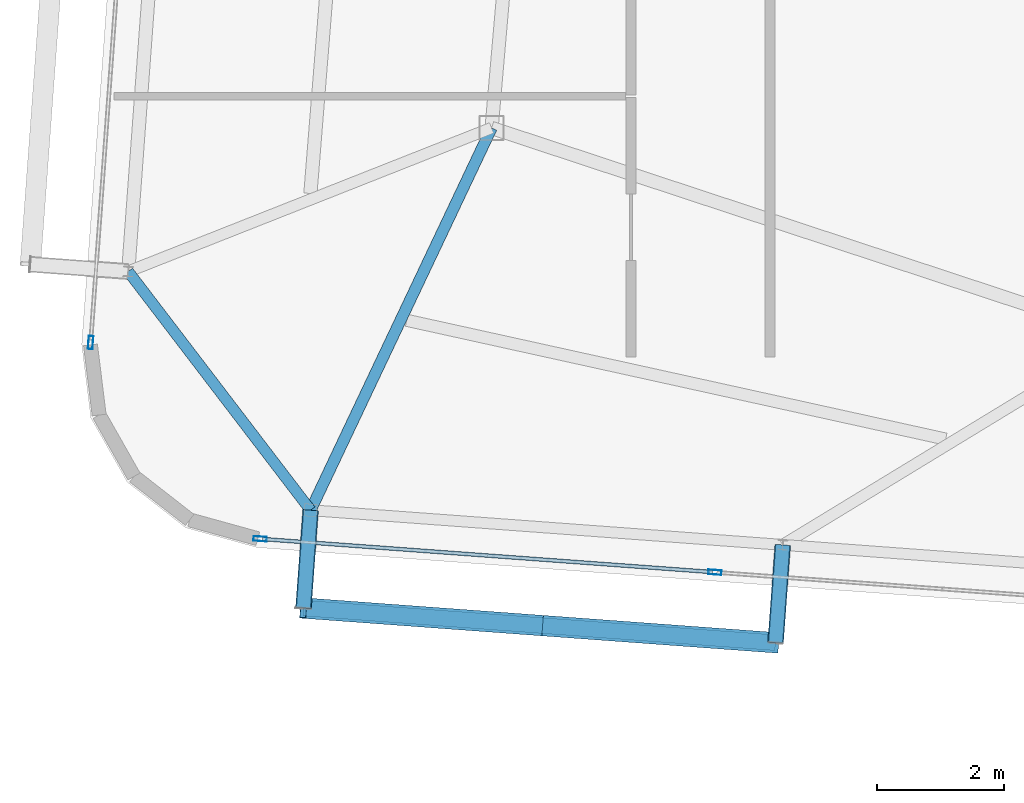
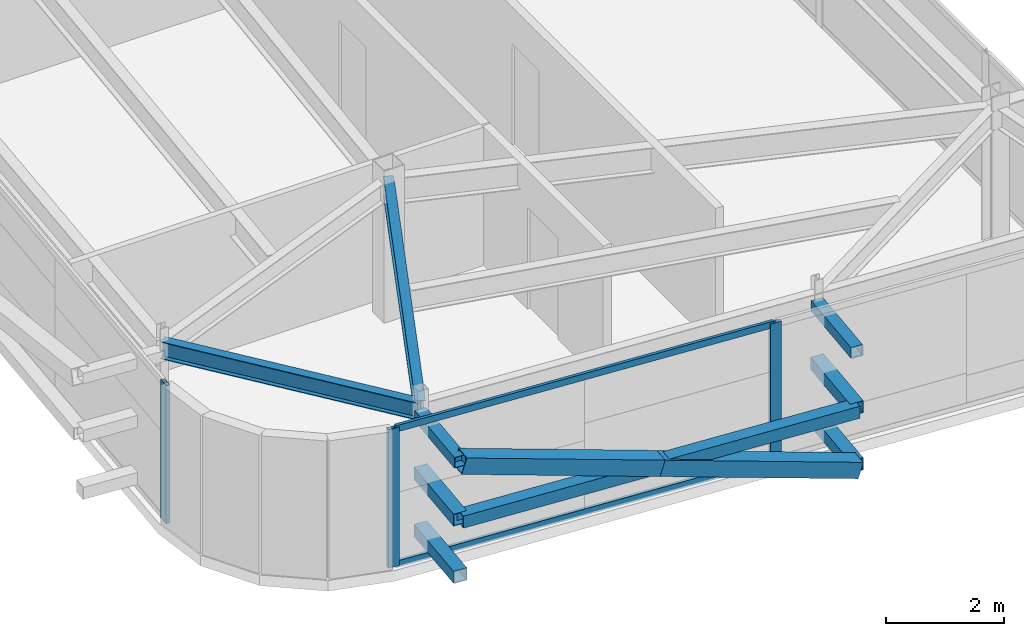
# One storey, part 9 of 40: 14 members, 2 beams, 2 elements without a shape of their own.
"""IFC4 building model written with IfcOpenShell, lengths in metres."""

from ifc_helpers import new_model, si_unit, direction, frame, origin, origin_2d, place, context, subcontext, project, spatial, hollow_rectangle, i_section, extrude, source, transform, mapped, material, layer, layer_set, material_profile, profile_set, type_object, element, aggregate, save


model = new_model("IFC4")

# Units and contexts
model_context = context("Model", 3, precision=1e-05, world=origin(), true_north=direction((0.0, 1.0)))
body_context = subcontext(model_context, "Body", "Model", "MODEL_VIEW")
ifc_project = project(units=[si_unit("LENGTHUNIT", "METRE"), si_unit("AREAUNIT", "SQUARE_METRE"), si_unit("VOLUMEUNIT", "CUBIC_METRE"), si_unit("PLANEANGLEUNIT", "RADIAN"), si_unit("MASSUNIT", "GRAM", prefix="KILO")], contexts=[model_context])

# Site, building, storey
site_placement = place(None, origin())
site = spatial("IfcSite", under=ifc_project, at=site_placement, CompositionType="ELEMENT")
building_placement = place(site_placement, origin())
building = spatial("IfcBuilding", under=site, at=building_placement, Name="Taldren Reach Tower", CompositionType="ELEMENT")
storey_placement = place(building_placement, frame((0.0, 0.0, 233.449951171875)))
storey = spatial("IfcBuildingStorey", under=building, at=storey_placement, Name="L71", CompositionType="ELEMENT", Elevation=233.449951171875)

# Members
ifc_material_1 = material(Name="Steel Gr 350 (C350L0)", Category="steel")
ifc_material_profile_1 = material_profile(ifc_material_1, hollow_rectangle(XDim=0.25, YDim=0.25, WallThickness=0.010009765625, at=origin_2d()), Name="250x250x10.0SHS")
ifc_profile_set_1 = profile_set([ifc_material_profile_1], Name="Steel Gr 350 (C350L0)")
member_type_1 = type_object("IfcMemberType", Name="MB-POST250", PredefinedType="POST", material=ifc_profile_set_1)
shared_shape_1 = source(origin(), body_context, "Body", "SweptSolid", [
    extrude(hollow_rectangle(XDim=0.25, YDim=0.25, WallThickness=0.010009765625, at=origin_2d()), origin(), (0.0, 0.0, 1.0), 1.5498046875),
])
for number, where, z_axis, x_axis, name in (
    (1, (22.6005859375, 5.912353515625, 0.219970703125), (-0.073250797913, -0.997313551801, 0.0), (0.997313551801, -0.073250797913, 0.0), "Exoskeleton base diaphragm tie strut B5-S2 L71"),
    (2, (22.6005859375, 5.912353515625, 1.405029296875), (-0.073250797913, -0.997313551801, 0.0), (0.997313551801, -0.073250797913, 0.0), "Exoskeleton mid-tier diaphragm tie B5-S2 L71"),
):
    element("IfcMember", number, at=place(storey_placement, frame(where, z_axis=z_axis, x_axis=x_axis)), inside=storey, type_object=member_type_1, Name=name, PredefinedType="POST", context=body_context, shape_type="MappedRepresentation", body=[
        mapped(shared_shape_1, transform((0.0, 0.0, 0.0), scale=1.0)),
    ])
shared_shape_2 = source(origin(), body_context, "Body", "SweptSolid", [
    extrude(hollow_rectangle(XDim=0.25, YDim=0.25, WallThickness=0.010009765625, at=origin_2d()), origin(), (0.0, 0.0, 1.0), 1.550048828125),
])
for number, where, z_axis, x_axis, name in (
    (3, (15.140625, 6.460205078125, 0.219970703125), (-0.07323929162, -0.997314396849, 0.0), (0.997314396849, -0.07323929162, 0.0), "Exoskeleton base diaphragm tie strut B5-S1 L71"),
    (4, (15.140625, 6.460205078125, 1.405029296875), (-0.07323929162, -0.997314396849, 0.0), (0.997314396849, -0.07323929162, 0.0), "Exoskeleton mid-tier diaphragm tie B5-S1 L71"),
):
    element("IfcMember", number, at=place(storey_placement, frame(where, z_axis=z_axis, x_axis=x_axis)), inside=storey, type_object=member_type_1, Name=name, PredefinedType="POST", context=body_context, shape_type="MappedRepresentation", body=[
        mapped(shared_shape_2, transform((0.0, 0.0, 0.0), scale=1.0)),
    ])
ifc_material_2 = material(Name="Steel Gr 450 (C450L0)", Category="steel")
ifc_material_profile_2 = material_profile(ifc_material_2, hollow_rectangle(XDim=0.219970703125, YDim=0.219970703125, WallThickness=0.00830078125, at=origin_2d()), Name="220x220x8.2SHS")
ifc_profile_set_2 = profile_set([ifc_material_profile_2], Name="Steel Gr 450 (C450L0)")
member_type_2 = type_object("IfcMemberType", Name="MB-TIE219", PredefinedType="STRUT", material=ifc_profile_set_2)
shared_shape_3 = source(origin(), body_context, "Body", "SweptSolid", [
    extrude(hollow_rectangle(XDim=0.219970703125, YDim=0.219970703125, WallThickness=0.00830078125, at=origin_2d()), origin(), (0.0, 0.0, 1.0), 1.5498046875),
])
member_1_placement = place(storey_placement, frame((22.6005859375, 5.912353515625, 2.590087890625), z_axis=(-0.073250797913, -0.997313551801, 0.0), x_axis=(0.997313551801, -0.073250797913, 0.0)))
element("IfcMember", 5, at=member_1_placement, inside=storey, type_object=member_type_2, Name="Exoskeleton diaphragm tie strut B5-S2 L71", PredefinedType="STRUT", context=body_context, shape_type="MappedRepresentation", body=[
    mapped(shared_shape_3, transform((0.0, 0.0, 0.0), scale=1.0)),
])
shared_shape_4 = source(origin(), body_context, "Body", "SweptSolid", [
    extrude(hollow_rectangle(XDim=0.219970703125, YDim=0.219970703125, WallThickness=0.00830078125, at=origin_2d()), origin(), (0.0, 0.0, 1.0), 1.550048828125),
])
member_2_placement = place(storey_placement, frame((15.140625, 6.460205078125, 2.590087890625), z_axis=(-0.07323929162, -0.997314396849, 0.0), x_axis=(0.997314396849, -0.07323929162, 0.0)))
element("IfcMember", 6, at=member_2_placement, inside=storey, type_object=member_type_2, Name="Exoskeleton diaphragm tie strut B5-S1 L71", PredefinedType="STRUT", context=body_context, shape_type="MappedRepresentation", body=[
    mapped(shared_shape_4, transform((0.0, 0.0, 0.0), scale=1.0)),
])

# Beams
ifc_material_3 = material(Name="Steel Gr 350 (350PLUS)", Category="steel")
ifc_material_profile_3 = material_profile(ifc_material_3, i_section(OverallWidth=0.172119140625, OverallDepth=0.35888671875, WebThickness=0.008056640625, FlangeThickness=0.012939453125, at=origin_2d()), Name="360UB56.7")
ifc_profile_set_3 = profile_set([ifc_material_profile_3], Name="Steel Gr 350 (350PLUS)")
beam_type_1 = type_object("IfcBeamType", Name="SP-UB360", PredefinedType="SPANDREL", material=ifc_profile_set_3)
shared_shape_5 = source(origin(), body_context, "Body", "SweptSolid", [
    extrude(i_section(OverallWidth=0.172119140625, OverallDepth=0.35888671875, WebThickness=0.008056640625, FlangeThickness=0.012939453125, at=origin_2d()), origin(), (0.0, 0.0, 1.0), 4.74609375),
])
beam_1_placement = place(storey_placement, frame((12.259033203125, 10.2314453125, 2.6904296875), z_axis=(0.607144568334, -0.794591387533, 0.0), x_axis=(0.794591387533, 0.607144568334, 0.0)))
element("IfcBeam", 7, at=beam_1_placement, inside=storey, type_object=beam_type_1, Name="Perimeter spandrel B5 W1-S1 L71", PredefinedType="SPANDREL", context=body_context, shape_type="MappedRepresentation", body=[
    mapped(shared_shape_5, transform((0.0, 0.0, 0.0), scale=1.0)),
])
ifc_material_profile_4 = material_profile(ifc_material_3, i_section(OverallWidth=0.177978515625, OverallDepth=0.406005859375, WebThickness=0.0078125, FlangeThickness=0.0126953125, at=origin_2d()), Name="410UB59.7")
ifc_profile_set_4 = profile_set([ifc_material_profile_4], Name="Steel Gr 350 (350PLUS)")
beam_type_2 = type_object("IfcBeamType", Name="BM-UB410", PredefinedType="BEAM", material=ifc_profile_set_4)
shared_shape_6 = source(origin(), body_context, "Body", "SweptSolid", [
    extrude(i_section(OverallWidth=0.177978515625, OverallDepth=0.406005859375, WebThickness=0.0078125, FlangeThickness=0.0126953125, at=origin_2d()), origin(), (0.0, 0.0, 1.0), 6.682373046875),
])
beam_2_placement = place(storey_placement, frame((18.0, 12.5, 2.6669921875), z_axis=(-0.427893164494, -0.903829320049, 0.0), x_axis=(0.903829320049, -0.427893164494, 0.0)))
element("IfcBeam", 8, at=beam_2_placement, inside=storey, type_object=beam_type_2, Name="Primary floor girder B5-S1 L71", PredefinedType="BEAM", context=body_context, shape_type="MappedRepresentation", body=[
    mapped(shared_shape_6, transform((0.0, 0.0, 0.0), scale=1.0)),
])

# Members
shared_shape_7 = source(origin(), body_context, "Body", "SweptSolid", [
    extrude(hollow_rectangle(XDim=0.25, YDim=0.25, WallThickness=0.010009765625, at=origin_2d()), origin(), (0.0, 0.0, 1.0), 7.47998046875),
])
member_3_placement = place(storey_placement, frame((15.027099609375, 4.914306640625, 1.405029296875), z_axis=(0.997316604227, -0.0732092271, 0.0), x_axis=(0.0732092271, 0.997316604227, 0.0)))
element("IfcMember", 9, at=member_3_placement, inside=storey, type_object=member_type_1, Name="Exoskeleton mid-height ring chord B5-S1 L71", PredefinedType="POST", context=body_context, shape_type="MappedRepresentation", body=[
    mapped(shared_shape_7, transform((0.0, 0.0, 0.0), scale=1.0)),
])
ifc_material_profile_5 = material_profile(ifc_material_2, hollow_rectangle(XDim=0.324951171875, YDim=0.324951171875, WallThickness=0.0126953125, at=origin_2d()), Name="325x325x12.7SHS")
ifc_profile_set_5 = profile_set([ifc_material_profile_5], Name="Steel Gr 450 (C450L0)")
member_type_3 = type_object("IfcMemberType", Name="MB-BR324", PredefinedType="BRACE", material=ifc_profile_set_5)
shared_shape_8 = source(origin(), body_context, "Body", "SweptSolid", [
    extrude(hollow_rectangle(XDim=0.324951171875, YDim=0.324951171875, WallThickness=0.0126953125, at=origin_2d()), origin(), (0.0, 0.0, 1.0), 3.92333984375),
])
for number, where, z_axis, x_axis, name in (
    (10, (22.487060546875, 4.36669921875, 0.219970703125), (-0.950733399226, 0.069758616346, 0.302059164802), (-0.073176762938, -0.997318986767, 0.0), "Exoskeleton Diagrid Brace B5-S1 L71"),
    (11, (18.757080078125, 4.640380859375, 1.405029296875), (-0.950729270276, 0.069820542038, 0.302057852986), (-0.07324169103, -0.997314220642, 0.0), "Exoskeleton Diagrid Brace B5-S1 L71"),
):
    element("IfcMember", number, at=place(storey_placement, frame(where, z_axis=z_axis, x_axis=x_axis)), inside=storey, type_object=member_type_3, Name=name, PredefinedType="BRACE", context=body_context, shape_type="MappedRepresentation", body=[
        mapped(shared_shape_8, transform((0.0, 0.0, 0.0), scale=1.0)),
    ])

# Curtain wall, members
ifc_material_4 = material(Name="Aluminium and Low-E Glass Unitised System", Category="aluminium")
ifc_layer = layer(ifc_material_4, 0.159912109375)
ifc_layer_set = layer_set([ifc_layer], Name="Aluminium and Low-E Glass Unitised System")
curtain_wall_type = type_object("IfcCurtainWallType", Name="CW-SYS-7", PredefinedType="NOTDEFINED", material=ifc_layer_set)
curtain_wall_1_placement = place(storey_placement, origin())
curtain_wall_1 = element("IfcCurtainWall", 12, at=curtain_wall_1_placement, inside=storey, type_object=curtain_wall_type, Name="Unitised curtain wall CW-L71-SWING", PredefinedType="NOTDEFINED")
ifc_material_5 = material(Name="Anodised Aluminium 6063-T6", Category="aluminium")
ifc_material_profile_6 = material_profile(ifc_material_5, hollow_rectangle(XDim=0.06005859375, YDim=0.135009765625, WallThickness=0.00341796875, at=origin_2d()), Name="ALU-135x60x3.5RHS")
ifc_profile_set_6 = profile_set([ifc_material_profile_6], Name="Anodised Aluminium 6063-T6")
member_type_4 = type_object("IfcMemberType", Name="CW-TRN-150", PredefinedType="USERDEFINED", material=ifc_profile_set_6)
shared_shape_9 = source(origin(), body_context, "Body", "SweptSolid", [
    extrude(hollow_rectangle(XDim=0.06005859375, YDim=0.135009765625, WallThickness=0.00341796875, at=origin_2d()), origin(), (0.0, 0.0, 1.0), 7.12890625),
])
member_4_placement = place(storey_placement, frame((14.38037109375, 6.004638671875, 0.030029296875), z_axis=(0.997315942834, -0.073218236583, 0.0), x_axis=(0.073218236583, 0.997315942834, 0.0)))
member_4 = element("IfcMember", 13, at=member_4_placement, type_object=member_type_4, Name="CW-7 transom 1.1", ObjectType="TRANSOM", PredefinedType="USERDEFINED", context=body_context, shape_type="MappedRepresentation", body=[
    mapped(shared_shape_9, transform((0.0, 0.0, 0.0), scale=1.0)),
])
member_5_placement = place(storey_placement, frame((14.38037109375, 6.004638671875, 2.840087890625), z_axis=(0.997315942834, -0.073218236583, 0.0), x_axis=(0.073218236583, 0.997315942834, 0.0)))
member_5 = element("IfcMember", 14, at=member_5_placement, type_object=member_type_4, Name="CW-7 transom 1.2", ObjectType="TRANSOM", PredefinedType="USERDEFINED", context=body_context, shape_type="MappedRepresentation", body=[
    mapped(shared_shape_9, transform((0.0, 0.0, 0.0), scale=1.0)),
])
ifc_material_profile_7 = material_profile(ifc_material_5, hollow_rectangle(XDim=0.074951171875, YDim=0.2099609375, WallThickness=0.00439453125, at=origin_2d()), Name="ALU-210x75x4.5RHS")
ifc_profile_set_7 = profile_set([ifc_material_profile_7], Name="Anodised Aluminium 6063-T6")
member_type_5 = type_object("IfcMemberType", Name="CW-MUL-200", PredefinedType="MULLION", material=ifc_profile_set_7)
shared_shape_10 = source(origin(), body_context, "Body", "SweptSolid", [
    extrude(hollow_rectangle(XDim=0.074951171875, YDim=0.2099609375, WallThickness=0.00439453125, at=origin_2d()), origin(), (0.0, 0.0, 1.0), 2.8701171875),
])
member_6_placement = place(storey_placement, frame((14.3427734375, 6.007568359375, 0.0), z_axis=(0.0, 0.0, 1.0), x_axis=(0.073238148285, 0.997314480811, 0.0)))
member_6 = element("IfcMember", 15, at=member_6_placement, type_object=member_type_5, Name="CW-7 mullion 1", PredefinedType="MULLION", context=body_context, shape_type="MappedRepresentation", body=[
    mapped(shared_shape_10, transform((0.0, 0.0, 0.0), scale=1.0)),
])
member_7_placement = place(storey_placement, frame((21.52783203125, 5.479736328125, 0.0), z_axis=(0.0, 0.0, 1.0), x_axis=(0.073238148285, 0.997314480811, 0.0)))
member_7 = element("IfcMember", 16, at=member_7_placement, type_object=member_type_5, Name="CW-7 mullion 2", PredefinedType="MULLION", context=body_context, shape_type="MappedRepresentation", body=[
    mapped(shared_shape_10, transform((0.0, 0.0, 0.0), scale=1.0)),
])
aggregate(curtain_wall_1, [member_6, member_7, member_4, member_5])

# Curtain wall, member
curtain_wall_2_placement = place(storey_placement, origin())
curtain_wall_2 = element("IfcCurtainWall", 17, at=curtain_wall_2_placement, inside=storey, type_object=curtain_wall_type, Name="Unitised curtain wall CW-L71-W", PredefinedType="NOTDEFINED")
member_8_placement = place(storey_placement, frame((11.665283203125, 9.109375, 0.0), z_axis=(0.0, 0.0, 1.0), x_axis=(0.997314470951, -0.073238282558, 0.0)))
member_8 = element("IfcMember", 18, at=member_8_placement, type_object=member_type_5, Name="CW-7 mullion 3", PredefinedType="MULLION", context=body_context, shape_type="MappedRepresentation", body=[
    mapped(shared_shape_10, transform((0.0, 0.0, 0.0), scale=1.0)),
])
aggregate(curtain_wall_2, [member_8])

save(model, "model.ifc")
